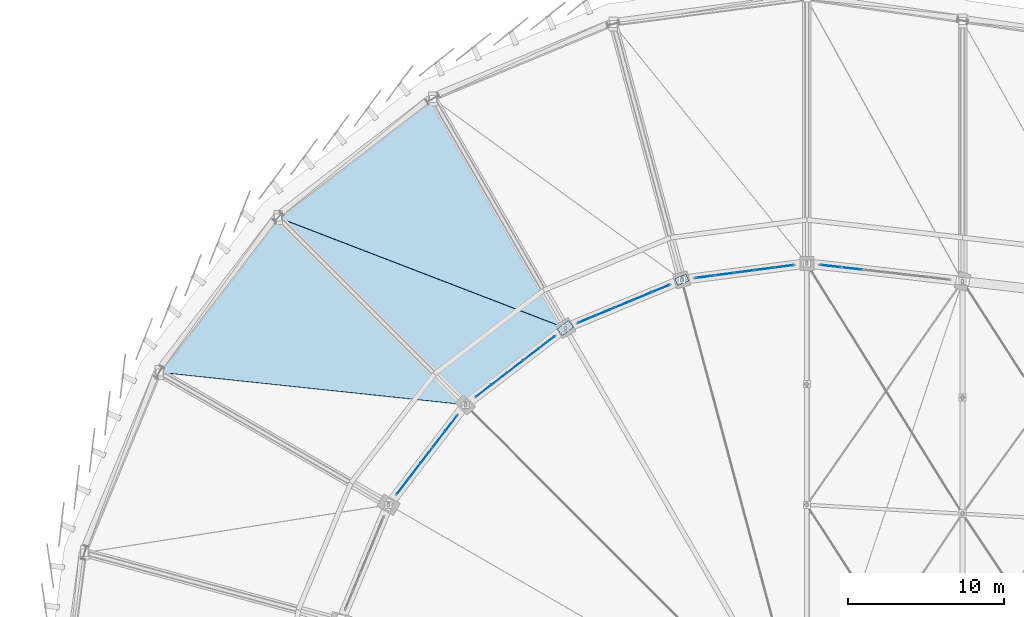
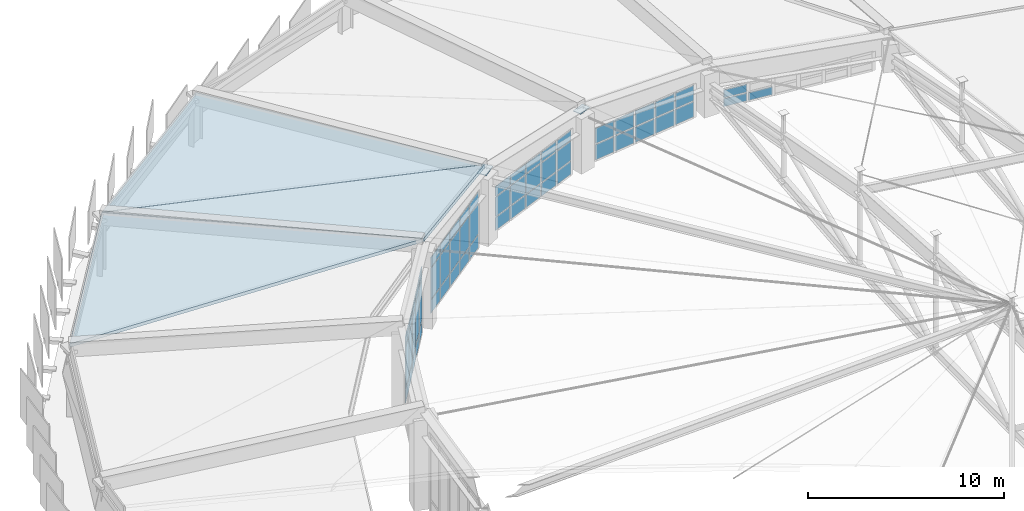
# One storey, part 58 of 68: 60 plates, 3 slabs, 5 elements without a shape of their own.
"""IFC4 building model written with IfcOpenShell, lengths in metres."""

from ifc_helpers import new_model, si_unit, direction, frame, origin, origin_2d, place, context, subcontext, project, spatial, polyline, rectangle, outline, extrude, material, layer, layer_set, type_object, element, aggregate, save


model = new_model("IFC4")

# Units and contexts
model_context = context("Model", 3, precision=1e-05, world=origin(), true_north=direction((0.0, 1.0)))
body_context = subcontext(model_context, "Body", "Model", "MODEL_VIEW")
ifc_project = project(units=[si_unit("LENGTHUNIT", "METRE"), si_unit("AREAUNIT", "SQUARE_METRE"), si_unit("VOLUMEUNIT", "CUBIC_METRE"), si_unit("PLANEANGLEUNIT", "RADIAN"), si_unit("MASSUNIT", "GRAM", prefix="KILO")], contexts=[model_context])

# Site, building, storey
site_placement = place(None, origin())
site = spatial("IfcSite", under=ifc_project, at=site_placement, CompositionType="ELEMENT")
building_placement = place(site_placement, origin())
building = spatial("IfcBuilding", under=site, at=building_placement, Name="Sohan Crest Arena", CompositionType="ELEMENT")
storey_placement = place(building_placement, frame((0.0, 0.0, 27.0)))
storey = spatial("IfcBuildingStorey", under=building, at=storey_placement, Name="RF", CompositionType="ELEMENT", Elevation=27.0)

# Curtain wall, plates
ifc_material_1 = material(Name="Thermally broken anodised aluminium", Category="aluminium")
ifc_layer_1 = layer(ifc_material_1, 0.18994140625, Name="Thermally broken anodised aluminium")
ifc_layer_set_1 = layer_set([ifc_layer_1], Name="Thermally broken anodised aluminium")
curtain_wall_type = type_object("IfcCurtainWallType", Name="ARC-CW05", PredefinedType="NOTDEFINED", material=ifc_layer_set_1)
curtain_wall_1_placement = place(storey_placement, origin())
curtain_wall_1 = element("IfcCurtainWall", 1, at=curtain_wall_1_placement, inside=storey, type_object=curtain_wall_type, Name="Unitised curtain wall CW-165", PredefinedType="NOTDEFINED")
ifc_material_2 = material(Name="Ceramic-fritted solar-control insulated glass", Category="glass")
ifc_layer_2 = layer(ifc_material_2, 0.035888671875, Name="Ceramic-fritted solar-control insulated glass")
ifc_layer_set_2 = layer_set([ifc_layer_2], Name="Ceramic-fritted solar-control insulated glass")
plate_type_1 = type_object("IfcPlateType", Name="ARC-CNP03", PredefinedType="CURTAIN_PANEL", material=ifc_layer_set_2)
plate_1_placement = place(storey_placement, frame((96.530029296875, 108.806396484375, 0.06494140625), z_axis=(0.0, 0.0, 1.0), x_axis=(-0.991448491802, -0.130498613419, 0.0)))
plate_1 = element("IfcPlate", 2, at=plate_1_placement, type_object=plate_type_1, Name="CW-165 panel 1.1", PredefinedType="CURTAIN_PANEL", context=body_context, shape_type="SweptSolid", body=[
    extrude(rectangle(XDim=1.185546875, YDim=0.035888671875, at=origin_2d()), origin(), (0.0, 0.0, 1.0), 0.951416015625),
])
plate_2_placement = place(storey_placement, frame((96.530029296875, 108.806396484375, 1.08154296875), z_axis=(0.0, 0.0, 1.0), x_axis=(-0.991448491802, -0.130498613419, 0.0)))
plate_2 = element("IfcPlate", 3, at=plate_2_placement, type_object=plate_type_1, Name="CW-165 panel 1.2", PredefinedType="CURTAIN_PANEL", context=body_context, shape_type="SweptSolid", body=[
    extrude(rectangle(XDim=1.185546875, YDim=0.035888671875, at=origin_2d()), origin(), (0.0, 0.0, 1.0), 0.951416015625),
])
plate_3_placement = place(storey_placement, frame((95.267822265625, 108.640380859375, 0.06494140625), z_axis=(0.0, 0.0, 1.0), x_axis=(-0.991448491802, -0.130498613419, 0.0)))
plate_3 = element("IfcPlate", 4, at=plate_3_placement, type_object=plate_type_1, Name="CW-165 panel 2.1", PredefinedType="CURTAIN_PANEL", context=body_context, shape_type="SweptSolid", body=[
    extrude(rectangle(XDim=1.220458984375, YDim=0.035888671875, at=origin_2d()), origin(), (0.0, 0.0, 1.0), 0.951416015625),
])
plate_4_placement = place(storey_placement, frame((95.267822265625, 108.640380859375, 1.08154296875), z_axis=(0.0, 0.0, 1.0), x_axis=(-0.991448491802, -0.130498613419, 0.0)))
plate_4 = element("IfcPlate", 5, at=plate_4_placement, type_object=plate_type_1, Name="CW-165 panel 2.2", PredefinedType="CURTAIN_PANEL", context=body_context, shape_type="SweptSolid", body=[
    extrude(rectangle(XDim=1.220458984375, YDim=0.035888671875, at=origin_2d()), origin(), (0.0, 0.0, 1.0), 0.951416015625),
])
plate_5_placement = place(storey_placement, frame((93.988525390625, 108.471923828125, 0.06494140625), z_axis=(0.0, 0.0, 1.0), x_axis=(-0.991448491802, -0.130498613419, 0.0)))
plate_5 = element("IfcPlate", 6, at=plate_5_placement, type_object=plate_type_1, Name="CW-165 panel 3.1", PredefinedType="CURTAIN_PANEL", context=body_context, shape_type="SweptSolid", body=[
    extrude(rectangle(XDim=1.220458984375, YDim=0.035888671875, at=origin_2d()), origin(), (0.0, 0.0, 1.0), 0.951416015625),
])
plate_6_placement = place(storey_placement, frame((93.988525390625, 108.471923828125, 1.08154296875), z_axis=(0.0, 0.0, 1.0), x_axis=(-0.991448491802, -0.130498613419, 0.0)))
plate_6 = element("IfcPlate", 7, at=plate_6_placement, type_object=plate_type_1, Name="CW-165 panel 3.2", PredefinedType="CURTAIN_PANEL", context=body_context, shape_type="SweptSolid", body=[
    extrude(rectangle(XDim=1.220458984375, YDim=0.035888671875, at=origin_2d()), origin(), (0.0, 0.0, 1.0), 0.951416015625),
])
plate_7_placement = place(storey_placement, frame((92.708984375, 108.3037109375, 0.06494140625), z_axis=(0.0, 0.0, 1.0), x_axis=(-0.991448491802, -0.130498613419, 0.0)))
plate_7 = element("IfcPlate", 8, at=plate_7_placement, type_object=plate_type_1, Name="CW-165 panel 4.1", PredefinedType="CURTAIN_PANEL", context=body_context, shape_type="SweptSolid", body=[
    extrude(rectangle(XDim=1.220458984375, YDim=0.035888671875, at=origin_2d()), origin(), (0.0, 0.0, 1.0), 0.951416015625),
])
plate_8_placement = place(storey_placement, frame((92.708984375, 108.3037109375, 1.08154296875), z_axis=(0.0, 0.0, 1.0), x_axis=(-0.991448491802, -0.130498613419, 0.0)))
plate_8 = element("IfcPlate", 9, at=plate_8_placement, type_object=plate_type_1, Name="CW-165 panel 4.2", PredefinedType="CURTAIN_PANEL", context=body_context, shape_type="SweptSolid", body=[
    extrude(rectangle(XDim=1.220458984375, YDim=0.035888671875, at=origin_2d()), origin(), (0.0, 0.0, 1.0), 0.951416015625),
])
plate_9_placement = place(storey_placement, frame((91.447021484375, 108.137451171875, 0.06494140625), z_axis=(0.0, 0.0, 1.0), x_axis=(-0.991448491802, -0.130498613419, 0.0)))
plate_9 = element("IfcPlate", 10, at=plate_9_placement, type_object=plate_type_1, Name="CW-165 panel 5.1", PredefinedType="CURTAIN_PANEL", context=body_context, shape_type="SweptSolid", body=[
    extrude(rectangle(XDim=1.185546875, YDim=0.035888671875, at=origin_2d()), origin(), (0.0, 0.0, 1.0), 0.951416015625),
])
plate_10_placement = place(storey_placement, frame((91.447021484375, 108.137451171875, 1.08154296875), z_axis=(0.0, 0.0, 1.0), x_axis=(-0.991448491802, -0.130498613419, 0.0)))
plate_10 = element("IfcPlate", 11, at=plate_10_placement, type_object=plate_type_1, Name="CW-165 panel 5.2", PredefinedType="CURTAIN_PANEL", context=body_context, shape_type="SweptSolid", body=[
    extrude(rectangle(XDim=1.185546875, YDim=0.035888671875, at=origin_2d()), origin(), (0.0, 0.0, 1.0), 0.951416015625),
])
aggregate(curtain_wall_1, [plate_1, plate_2, plate_3, plate_4, plate_5, plate_6, plate_7, plate_8, plate_9, plate_10])

curtain_wall_2_placement = place(storey_placement, origin())
curtain_wall_2 = element("IfcCurtainWall", 12, at=curtain_wall_2_placement, inside=storey, type_object=curtain_wall_type, Name="Unitised curtain wall CW-167", PredefinedType="NOTDEFINED")
plate_11_placement = place(storey_placement, frame((88.606689453125, 107.37646484375, 0.06494140625), z_axis=(0.0, 0.0, 1.0), x_axis=(-0.923886494023, -0.382666625357, 0.0)))
plate_11 = element("IfcPlate", 13, at=plate_11_placement, type_object=plate_type_1, Name="CW-167 panel 1.1", PredefinedType="CURTAIN_PANEL", context=body_context, shape_type="SweptSolid", body=[
    extrude(rectangle(XDim=1.185302734375, YDim=0.035888671875, at=origin_2d()), origin(), (0.0, 0.0, 1.0), 0.802490234375),
])
plate_12_placement = place(storey_placement, frame((88.606689453125, 107.37646484375, 0.9326171875), z_axis=(0.0, 0.0, 1.0), x_axis=(-0.923886494023, -0.382666625357, 0.0)))
plate_12 = element("IfcPlate", 14, at=plate_12_placement, type_object=plate_type_1, Name="CW-167 panel 1.2", PredefinedType="CURTAIN_PANEL", context=body_context, shape_type="SweptSolid", body=[
    extrude(rectangle(XDim=1.185302734375, YDim=0.035888671875, at=origin_2d()), origin(), (0.0, 0.0, 1.0), 1.196044921875),
])
plate_13_placement = place(storey_placement, frame((88.606689453125, 107.37646484375, 2.193359375), z_axis=(0.0, 0.0, 1.0), x_axis=(-0.923886494023, -0.382666625357, 0.0)))
plate_13 = element("IfcPlate", 15, at=plate_13_placement, type_object=plate_type_1, Name="CW-167 panel 1.3", PredefinedType="CURTAIN_PANEL", context=body_context, shape_type="SweptSolid", body=[
    extrude(rectangle(XDim=1.185302734375, YDim=0.035888671875, at=origin_2d()), origin(), (0.0, 0.0, 1.0), 0.6025390625),
])
plate_14_placement = place(storey_placement, frame((87.4306640625, 106.889404296875, 0.06494140625), z_axis=(0.0, 0.0, 1.0), x_axis=(-0.923886494023, -0.382666625357, 0.0)))
plate_14 = element("IfcPlate", 16, at=plate_14_placement, type_object=plate_type_1, Name="CW-167 panel 2.1", PredefinedType="CURTAIN_PANEL", context=body_context, shape_type="SweptSolid", body=[
    extrude(rectangle(XDim=1.220458984375, YDim=0.035888671875, at=origin_2d()), origin(), (0.0, 0.0, 1.0), 0.802490234375),
])
plate_15_placement = place(storey_placement, frame((87.4306640625, 106.889404296875, 0.9326171875), z_axis=(0.0, 0.0, 1.0), x_axis=(-0.923886494023, -0.382666625357, 0.0)))
plate_15 = element("IfcPlate", 17, at=plate_15_placement, type_object=plate_type_1, Name="CW-167 panel 2.2", PredefinedType="CURTAIN_PANEL", context=body_context, shape_type="SweptSolid", body=[
    extrude(rectangle(XDim=1.220458984375, YDim=0.035888671875, at=origin_2d()), origin(), (0.0, 0.0, 1.0), 1.196044921875),
])
plate_16_placement = place(storey_placement, frame((87.4306640625, 106.889404296875, 2.193359375), z_axis=(0.0, 0.0, 1.0), x_axis=(-0.923886494023, -0.382666625357, 0.0)))
plate_16 = element("IfcPlate", 18, at=plate_16_placement, type_object=plate_type_1, Name="CW-167 panel 2.3", PredefinedType="CURTAIN_PANEL", context=body_context, shape_type="SweptSolid", body=[
    extrude(rectangle(XDim=1.220458984375, YDim=0.035888671875, at=origin_2d()), origin(), (0.0, 0.0, 1.0), 0.6025390625),
])
plate_17_placement = place(storey_placement, frame((86.238525390625, 106.3955078125, 0.06494140625), z_axis=(0.0, 0.0, 1.0), x_axis=(-0.923886494023, -0.382666625357, 0.0)))
plate_17 = element("IfcPlate", 19, at=plate_17_placement, type_object=plate_type_1, Name="CW-167 panel 3.1", PredefinedType="CURTAIN_PANEL", context=body_context, shape_type="SweptSolid", body=[
    extrude(rectangle(XDim=1.220458984375, YDim=0.035888671875, at=origin_2d()), origin(), (0.0, 0.0, 1.0), 0.802490234375),
])
plate_18_placement = place(storey_placement, frame((86.238525390625, 106.3955078125, 0.9326171875), z_axis=(0.0, 0.0, 1.0), x_axis=(-0.923886494023, -0.382666625357, 0.0)))
plate_18 = element("IfcPlate", 20, at=plate_18_placement, type_object=plate_type_1, Name="CW-167 panel 3.2", PredefinedType="CURTAIN_PANEL", context=body_context, shape_type="SweptSolid", body=[
    extrude(rectangle(XDim=1.220458984375, YDim=0.035888671875, at=origin_2d()), origin(), (0.0, 0.0, 1.0), 1.196044921875),
])
plate_19_placement = place(storey_placement, frame((86.238525390625, 106.3955078125, 2.193359375), z_axis=(0.0, 0.0, 1.0), x_axis=(-0.923886494023, -0.382666625357, 0.0)))
plate_19 = element("IfcPlate", 21, at=plate_19_placement, type_object=plate_type_1, Name="CW-167 panel 3.3", PredefinedType="CURTAIN_PANEL", context=body_context, shape_type="SweptSolid", body=[
    extrude(rectangle(XDim=1.220458984375, YDim=0.035888671875, at=origin_2d()), origin(), (0.0, 0.0, 1.0), 0.6025390625),
])
plate_20_placement = place(storey_placement, frame((85.04638671875, 105.901611328125, 0.06494140625), z_axis=(0.0, 0.0, 1.0), x_axis=(-0.923886494023, -0.382666625357, 0.0)))
plate_20 = element("IfcPlate", 22, at=plate_20_placement, type_object=plate_type_1, Name="CW-167 panel 4.1", PredefinedType="CURTAIN_PANEL", context=body_context, shape_type="SweptSolid", body=[
    extrude(rectangle(XDim=1.220458984375, YDim=0.035888671875, at=origin_2d()), origin(), (0.0, 0.0, 1.0), 0.802490234375),
])
plate_21_placement = place(storey_placement, frame((85.04638671875, 105.901611328125, 0.9326171875), z_axis=(0.0, 0.0, 1.0), x_axis=(-0.923886494023, -0.382666625357, 0.0)))
plate_21 = element("IfcPlate", 23, at=plate_21_placement, type_object=plate_type_1, Name="CW-167 panel 4.2", PredefinedType="CURTAIN_PANEL", context=body_context, shape_type="SweptSolid", body=[
    extrude(rectangle(XDim=1.220458984375, YDim=0.035888671875, at=origin_2d()), origin(), (0.0, 0.0, 1.0), 1.196044921875),
])
plate_22_placement = place(storey_placement, frame((85.04638671875, 105.901611328125, 2.193359375), z_axis=(0.0, 0.0, 1.0), x_axis=(-0.923886494023, -0.382666625357, 0.0)))
plate_22 = element("IfcPlate", 24, at=plate_22_placement, type_object=plate_type_1, Name="CW-167 panel 4.3", PredefinedType="CURTAIN_PANEL", context=body_context, shape_type="SweptSolid", body=[
    extrude(rectangle(XDim=1.220458984375, YDim=0.035888671875, at=origin_2d()), origin(), (0.0, 0.0, 1.0), 0.6025390625),
])
plate_23_placement = place(storey_placement, frame((83.870361328125, 105.41455078125, 0.06494140625), z_axis=(0.0, 0.0, 1.0), x_axis=(-0.923886494023, -0.382666625357, 0.0)))
plate_23 = element("IfcPlate", 25, at=plate_23_placement, type_object=plate_type_1, Name="CW-167 panel 5.1", PredefinedType="CURTAIN_PANEL", context=body_context, shape_type="SweptSolid", body=[
    extrude(rectangle(XDim=1.185302734375, YDim=0.035888671875, at=origin_2d()), origin(), (0.0, 0.0, 1.0), 0.802490234375),
])
plate_24_placement = place(storey_placement, frame((83.870361328125, 105.41455078125, 0.9326171875), z_axis=(0.0, 0.0, 1.0), x_axis=(-0.923886494023, -0.382666625357, 0.0)))
plate_24 = element("IfcPlate", 26, at=plate_24_placement, type_object=plate_type_1, Name="CW-167 panel 5.2", PredefinedType="CURTAIN_PANEL", context=body_context, shape_type="SweptSolid", body=[
    extrude(rectangle(XDim=1.185302734375, YDim=0.035888671875, at=origin_2d()), origin(), (0.0, 0.0, 1.0), 1.196044921875),
])
plate_25_placement = place(storey_placement, frame((83.870361328125, 105.41455078125, 2.193359375), z_axis=(0.0, 0.0, 1.0), x_axis=(-0.923886494023, -0.382666625357, 0.0)))
plate_25 = element("IfcPlate", 27, at=plate_25_placement, type_object=plate_type_1, Name="CW-167 panel 5.3", PredefinedType="CURTAIN_PANEL", context=body_context, shape_type="SweptSolid", body=[
    extrude(rectangle(XDim=1.185302734375, YDim=0.035888671875, at=origin_2d()), origin(), (0.0, 0.0, 1.0), 0.6025390625),
])
aggregate(curtain_wall_2, [plate_11, plate_12, plate_13, plate_14, plate_15, plate_16, plate_17, plate_18, plate_19, plate_20, plate_21, plate_22, plate_23, plate_24, plate_25])

curtain_wall_3_placement = place(storey_placement, origin())
curtain_wall_3 = element("IfcCurtainWall", 28, at=curtain_wall_3_placement, inside=storey, type_object=curtain_wall_type, Name="Unitised curtain wall CW-169", PredefinedType="NOTDEFINED")
plate_26_placement = place(storey_placement, frame((81.3232421875, 103.9443359375, 0.06494140625), z_axis=(0.0, 0.0, 1.0), x_axis=(-0.793217053508, -0.608939000248, 0.0)))
plate_26 = element("IfcPlate", 29, at=plate_26_placement, type_object=plate_type_1, Name="CW-169 panel 1.1", PredefinedType="CURTAIN_PANEL", context=body_context, shape_type="SweptSolid", body=[
    extrude(rectangle(XDim=1.185546875, YDim=0.035888671875, at=origin_2d()), origin(), (0.0, 0.0, 1.0), 0.802490234375),
])
plate_27_placement = place(storey_placement, frame((81.3232421875, 103.9443359375, 0.9326171875), z_axis=(0.0, 0.0, 1.0), x_axis=(-0.793217053508, -0.608939000248, 0.0)))
plate_27 = element("IfcPlate", 30, at=plate_27_placement, type_object=plate_type_1, Name="CW-169 panel 1.2", PredefinedType="CURTAIN_PANEL", context=body_context, shape_type="SweptSolid", body=[
    extrude(rectangle(XDim=1.185546875, YDim=0.035888671875, at=origin_2d()), origin(), (0.0, 0.0, 1.0), 1.91796875),
])
plate_28_placement = place(storey_placement, frame((81.3232421875, 103.9443359375, 2.91552734375), z_axis=(0.0, 0.0, 1.0), x_axis=(-0.793217053508, -0.608939000248, 0.0)))
plate_28 = element("IfcPlate", 31, at=plate_28_placement, type_object=plate_type_1, Name="CW-169 panel 1.3", PredefinedType="CURTAIN_PANEL", context=body_context, shape_type="SweptSolid", body=[
    extrude(rectangle(XDim=1.185546875, YDim=0.035888671875, at=origin_2d()), origin(), (0.0, 0.0, 1.0), 0.6025390625),
])
plate_29_placement = place(storey_placement, frame((80.313720703125, 103.169189453125, 0.06494140625), z_axis=(0.0, 0.0, 1.0), x_axis=(-0.793217053508, -0.608939000248, 0.0)))
plate_29 = element("IfcPlate", 32, at=plate_29_placement, type_object=plate_type_1, Name="CW-169 panel 2.1", PredefinedType="CURTAIN_PANEL", context=body_context, shape_type="SweptSolid", body=[
    extrude(rectangle(XDim=1.220458984375, YDim=0.035888671875, at=origin_2d()), origin(), (0.0, 0.0, 1.0), 0.802490234375),
])
plate_30_placement = place(storey_placement, frame((80.313720703125, 103.169189453125, 0.9326171875), z_axis=(0.0, 0.0, 1.0), x_axis=(-0.793217053508, -0.608939000248, 0.0)))
plate_30 = element("IfcPlate", 33, at=plate_30_placement, type_object=plate_type_1, Name="CW-169 panel 2.2", PredefinedType="CURTAIN_PANEL", context=body_context, shape_type="SweptSolid", body=[
    extrude(rectangle(XDim=1.220458984375, YDim=0.035888671875, at=origin_2d()), origin(), (0.0, 0.0, 1.0), 1.91796875),
])
plate_31_placement = place(storey_placement, frame((80.313720703125, 103.169189453125, 2.91552734375), z_axis=(0.0, 0.0, 1.0), x_axis=(-0.793217053508, -0.608939000248, 0.0)))
plate_31 = element("IfcPlate", 34, at=plate_31_placement, type_object=plate_type_1, Name="CW-169 panel 2.3", PredefinedType="CURTAIN_PANEL", context=body_context, shape_type="SweptSolid", body=[
    extrude(rectangle(XDim=1.220458984375, YDim=0.035888671875, at=origin_2d()), origin(), (0.0, 0.0, 1.0), 0.6025390625),
])
plate_32_placement = place(storey_placement, frame((79.2900390625, 102.383544921875, 0.06494140625), z_axis=(0.0, 0.0, 1.0), x_axis=(-0.793217053508, -0.608939000248, 0.0)))
plate_32 = element("IfcPlate", 35, at=plate_32_placement, type_object=plate_type_1, Name="CW-169 panel 3.1", PredefinedType="CURTAIN_PANEL", context=body_context, shape_type="SweptSolid", body=[
    extrude(rectangle(XDim=1.220458984375, YDim=0.035888671875, at=origin_2d()), origin(), (0.0, 0.0, 1.0), 0.802490234375),
])
plate_33_placement = place(storey_placement, frame((79.2900390625, 102.383544921875, 0.9326171875), z_axis=(0.0, 0.0, 1.0), x_axis=(-0.793217053508, -0.608939000248, 0.0)))
plate_33 = element("IfcPlate", 36, at=plate_33_placement, type_object=plate_type_1, Name="CW-169 panel 3.2", PredefinedType="CURTAIN_PANEL", context=body_context, shape_type="SweptSolid", body=[
    extrude(rectangle(XDim=1.220458984375, YDim=0.035888671875, at=origin_2d()), origin(), (0.0, 0.0, 1.0), 1.91796875),
])
plate_34_placement = place(storey_placement, frame((79.2900390625, 102.383544921875, 2.91552734375), z_axis=(0.0, 0.0, 1.0), x_axis=(-0.793217053508, -0.608939000248, 0.0)))
plate_34 = element("IfcPlate", 37, at=plate_34_placement, type_object=plate_type_1, Name="CW-169 panel 3.3", PredefinedType="CURTAIN_PANEL", context=body_context, shape_type="SweptSolid", body=[
    extrude(rectangle(XDim=1.220458984375, YDim=0.035888671875, at=origin_2d()), origin(), (0.0, 0.0, 1.0), 0.6025390625),
])
plate_35_placement = place(storey_placement, frame((78.266357421875, 101.59765625, 0.06494140625), z_axis=(0.0, 0.0, 1.0), x_axis=(-0.793217053508, -0.608939000248, 0.0)))
plate_35 = element("IfcPlate", 38, at=plate_35_placement, type_object=plate_type_1, Name="CW-169 panel 4.1", PredefinedType="CURTAIN_PANEL", context=body_context, shape_type="SweptSolid", body=[
    extrude(rectangle(XDim=1.220458984375, YDim=0.035888671875, at=origin_2d()), origin(), (0.0, 0.0, 1.0), 0.802490234375),
])
plate_36_placement = place(storey_placement, frame((78.266357421875, 101.59765625, 0.9326171875), z_axis=(0.0, 0.0, 1.0), x_axis=(-0.793217053508, -0.608939000248, 0.0)))
plate_36 = element("IfcPlate", 39, at=plate_36_placement, type_object=plate_type_1, Name="CW-169 panel 4.2", PredefinedType="CURTAIN_PANEL", context=body_context, shape_type="SweptSolid", body=[
    extrude(rectangle(XDim=1.220458984375, YDim=0.035888671875, at=origin_2d()), origin(), (0.0, 0.0, 1.0), 1.91796875),
])
plate_37_placement = place(storey_placement, frame((78.266357421875, 101.59765625, 2.91552734375), z_axis=(0.0, 0.0, 1.0), x_axis=(-0.793217053508, -0.608939000248, 0.0)))
plate_37 = element("IfcPlate", 40, at=plate_37_placement, type_object=plate_type_1, Name="CW-169 panel 4.3", PredefinedType="CURTAIN_PANEL", context=body_context, shape_type="SweptSolid", body=[
    extrude(rectangle(XDim=1.220458984375, YDim=0.035888671875, at=origin_2d()), origin(), (0.0, 0.0, 1.0), 0.6025390625),
])
plate_38_placement = place(storey_placement, frame((77.256591796875, 100.822509765625, 0.06494140625), z_axis=(0.0, 0.0, 1.0), x_axis=(-0.793217053508, -0.608939000248, 0.0)))
plate_38 = element("IfcPlate", 41, at=plate_38_placement, type_object=plate_type_1, Name="CW-169 panel 5.1", PredefinedType="CURTAIN_PANEL", context=body_context, shape_type="SweptSolid", body=[
    extrude(rectangle(XDim=1.185546875, YDim=0.035888671875, at=origin_2d()), origin(), (0.0, 0.0, 1.0), 0.802490234375),
])
plate_39_placement = place(storey_placement, frame((77.256591796875, 100.822509765625, 0.9326171875), z_axis=(0.0, 0.0, 1.0), x_axis=(-0.793217053508, -0.608939000248, 0.0)))
plate_39 = element("IfcPlate", 42, at=plate_39_placement, type_object=plate_type_1, Name="CW-169 panel 5.2", PredefinedType="CURTAIN_PANEL", context=body_context, shape_type="SweptSolid", body=[
    extrude(rectangle(XDim=1.185546875, YDim=0.035888671875, at=origin_2d()), origin(), (0.0, 0.0, 1.0), 1.91796875),
])
plate_40_placement = place(storey_placement, frame((77.256591796875, 100.822509765625, 2.91552734375), z_axis=(0.0, 0.0, 1.0), x_axis=(-0.793217053508, -0.608939000248, 0.0)))
plate_40 = element("IfcPlate", 43, at=plate_40_placement, type_object=plate_type_1, Name="CW-169 panel 5.3", PredefinedType="CURTAIN_PANEL", context=body_context, shape_type="SweptSolid", body=[
    extrude(rectangle(XDim=1.185546875, YDim=0.035888671875, at=origin_2d()), origin(), (0.0, 0.0, 1.0), 0.6025390625),
])
aggregate(curtain_wall_3, [plate_26, plate_27, plate_28, plate_29, plate_30, plate_31, plate_32, plate_33, plate_34, plate_35, plate_36, plate_37, plate_38, plate_39, plate_40])

curtain_wall_4_placement = place(storey_placement, origin())
curtain_wall_4 = element("IfcCurtainWall", 44, at=curtain_wall_4_placement, inside=storey, type_object=curtain_wall_type, Name="Unitised curtain wall CW-171", PredefinedType="NOTDEFINED")
plate_41_placement = place(storey_placement, frame((75.177490234375, 98.743408203125, 0.06494140625), z_axis=(0.0, 0.0, 1.0), x_axis=(-0.608939000248, -0.793217053508, 0.0)))
plate_41 = element("IfcPlate", 45, at=plate_41_placement, type_object=plate_type_1, Name="CW-171 panel 1.1", PredefinedType="CURTAIN_PANEL", context=body_context, shape_type="SweptSolid", body=[
    extrude(rectangle(XDim=1.185546875, YDim=0.035888671875, at=origin_2d()), origin(), (0.0, 0.0, 1.0), 0.802490234375),
])
plate_42_placement = place(storey_placement, frame((75.177490234375, 98.743408203125, 0.9326171875), z_axis=(0.0, 0.0, 1.0), x_axis=(-0.608939000248, -0.793217053508, 0.0)))
plate_42 = element("IfcPlate", 46, at=plate_42_placement, type_object=plate_type_1, Name="CW-171 panel 1.2", PredefinedType="CURTAIN_PANEL", context=body_context, shape_type="SweptSolid", body=[
    extrude(rectangle(XDim=1.185546875, YDim=0.035888671875, at=origin_2d()), origin(), (0.0, 0.0, 1.0), 2.5419921875),
])
plate_43_placement = place(storey_placement, frame((75.177490234375, 98.743408203125, 3.53955078125), z_axis=(0.0, 0.0, 1.0), x_axis=(-0.608939000248, -0.793217053508, 0.0)))
plate_43 = element("IfcPlate", 47, at=plate_43_placement, type_object=plate_type_1, Name="CW-171 panel 1.3", PredefinedType="CURTAIN_PANEL", context=body_context, shape_type="SweptSolid", body=[
    extrude(rectangle(XDim=1.185546875, YDim=0.035888671875, at=origin_2d()), origin(), (0.0, 0.0, 1.0), 0.6025390625),
])
plate_44_placement = place(storey_placement, frame((74.40234375, 97.733642578125, 0.06494140625), z_axis=(0.0, 0.0, 1.0), x_axis=(-0.608939000248, -0.793217053508, 0.0)))
plate_44 = element("IfcPlate", 48, at=plate_44_placement, type_object=plate_type_1, Name="CW-171 panel 2.1", PredefinedType="CURTAIN_PANEL", context=body_context, shape_type="SweptSolid", body=[
    extrude(rectangle(XDim=1.220458984375, YDim=0.035888671875, at=origin_2d()), origin(), (0.0, 0.0, 1.0), 0.802490234375),
])
plate_45_placement = place(storey_placement, frame((74.40234375, 97.733642578125, 0.9326171875), z_axis=(0.0, 0.0, 1.0), x_axis=(-0.608939000248, -0.793217053508, 0.0)))
plate_45 = element("IfcPlate", 49, at=plate_45_placement, type_object=plate_type_1, Name="CW-171 panel 2.2", PredefinedType="CURTAIN_PANEL", context=body_context, shape_type="SweptSolid", body=[
    extrude(rectangle(XDim=1.220458984375, YDim=0.035888671875, at=origin_2d()), origin(), (0.0, 0.0, 1.0), 2.5419921875),
])
plate_46_placement = place(storey_placement, frame((74.40234375, 97.733642578125, 3.53955078125), z_axis=(0.0, 0.0, 1.0), x_axis=(-0.608939000248, -0.793217053508, 0.0)))
plate_46 = element("IfcPlate", 50, at=plate_46_placement, type_object=plate_type_1, Name="CW-171 panel 2.3", PredefinedType="CURTAIN_PANEL", context=body_context, shape_type="SweptSolid", body=[
    extrude(rectangle(XDim=1.220458984375, YDim=0.035888671875, at=origin_2d()), origin(), (0.0, 0.0, 1.0), 0.6025390625),
])
plate_47_placement = place(storey_placement, frame((73.616455078125, 96.7099609375, 0.06494140625), z_axis=(0.0, 0.0, 1.0), x_axis=(-0.608939000248, -0.793217053508, 0.0)))
plate_47 = element("IfcPlate", 51, at=plate_47_placement, type_object=plate_type_1, Name="CW-171 panel 3.1", PredefinedType="CURTAIN_PANEL", context=body_context, shape_type="SweptSolid", body=[
    extrude(rectangle(XDim=1.220458984375, YDim=0.035888671875, at=origin_2d()), origin(), (0.0, 0.0, 1.0), 0.802490234375),
])
plate_48_placement = place(storey_placement, frame((73.616455078125, 96.7099609375, 0.9326171875), z_axis=(0.0, 0.0, 1.0), x_axis=(-0.608939000248, -0.793217053508, 0.0)))
plate_48 = element("IfcPlate", 52, at=plate_48_placement, type_object=plate_type_1, Name="CW-171 panel 3.2", PredefinedType="CURTAIN_PANEL", context=body_context, shape_type="SweptSolid", body=[
    extrude(rectangle(XDim=1.220458984375, YDim=0.035888671875, at=origin_2d()), origin(), (0.0, 0.0, 1.0), 2.5419921875),
])
plate_49_placement = place(storey_placement, frame((73.616455078125, 96.7099609375, 3.53955078125), z_axis=(0.0, 0.0, 1.0), x_axis=(-0.608939000248, -0.793217053508, 0.0)))
plate_49 = element("IfcPlate", 53, at=plate_49_placement, type_object=plate_type_1, Name="CW-171 panel 3.3", PredefinedType="CURTAIN_PANEL", context=body_context, shape_type="SweptSolid", body=[
    extrude(rectangle(XDim=1.220458984375, YDim=0.035888671875, at=origin_2d()), origin(), (0.0, 0.0, 1.0), 0.6025390625),
])
plate_50_placement = place(storey_placement, frame((72.830810546875, 95.686279296875, 0.06494140625), z_axis=(0.0, 0.0, 1.0), x_axis=(-0.608939000248, -0.793217053508, 0.0)))
plate_50 = element("IfcPlate", 54, at=plate_50_placement, type_object=plate_type_1, Name="CW-171 panel 4.1", PredefinedType="CURTAIN_PANEL", context=body_context, shape_type="SweptSolid", body=[
    extrude(rectangle(XDim=1.220458984375, YDim=0.035888671875, at=origin_2d()), origin(), (0.0, 0.0, 1.0), 0.802490234375),
])
plate_51_placement = place(storey_placement, frame((72.830810546875, 95.686279296875, 0.9326171875), z_axis=(0.0, 0.0, 1.0), x_axis=(-0.608939000248, -0.793217053508, 0.0)))
plate_51 = element("IfcPlate", 55, at=plate_51_placement, type_object=plate_type_1, Name="CW-171 panel 4.2", PredefinedType="CURTAIN_PANEL", context=body_context, shape_type="SweptSolid", body=[
    extrude(rectangle(XDim=1.220458984375, YDim=0.035888671875, at=origin_2d()), origin(), (0.0, 0.0, 1.0), 2.5419921875),
])
plate_52_placement = place(storey_placement, frame((72.830810546875, 95.686279296875, 3.53955078125), z_axis=(0.0, 0.0, 1.0), x_axis=(-0.608939000248, -0.793217053508, 0.0)))
plate_52 = element("IfcPlate", 56, at=plate_52_placement, type_object=plate_type_1, Name="CW-171 panel 4.3", PredefinedType="CURTAIN_PANEL", context=body_context, shape_type="SweptSolid", body=[
    extrude(rectangle(XDim=1.220458984375, YDim=0.035888671875, at=origin_2d()), origin(), (0.0, 0.0, 1.0), 0.6025390625),
])
plate_53_placement = place(storey_placement, frame((72.0556640625, 94.6767578125, 0.06494140625), z_axis=(0.0, 0.0, 1.0), x_axis=(-0.608939000248, -0.793217053508, 0.0)))
plate_53 = element("IfcPlate", 57, at=plate_53_placement, type_object=plate_type_1, Name="CW-171 panel 5.1", PredefinedType="CURTAIN_PANEL", context=body_context, shape_type="SweptSolid", body=[
    extrude(rectangle(XDim=1.185546875, YDim=0.035888671875, at=origin_2d()), origin(), (0.0, 0.0, 1.0), 0.802490234375),
])
plate_54_placement = place(storey_placement, frame((72.0556640625, 94.6767578125, 0.9326171875), z_axis=(0.0, 0.0, 1.0), x_axis=(-0.608939000248, -0.793217053508, 0.0)))
plate_54 = element("IfcPlate", 58, at=plate_54_placement, type_object=plate_type_1, Name="CW-171 panel 5.2", PredefinedType="CURTAIN_PANEL", context=body_context, shape_type="SweptSolid", body=[
    extrude(rectangle(XDim=1.185546875, YDim=0.035888671875, at=origin_2d()), origin(), (0.0, 0.0, 1.0), 2.5419921875),
])
plate_55_placement = place(storey_placement, frame((72.0556640625, 94.6767578125, 3.53955078125), z_axis=(0.0, 0.0, 1.0), x_axis=(-0.608939000248, -0.793217053508, 0.0)))
plate_55 = element("IfcPlate", 59, at=plate_55_placement, type_object=plate_type_1, Name="CW-171 panel 5.3", PredefinedType="CURTAIN_PANEL", context=body_context, shape_type="SweptSolid", body=[
    extrude(rectangle(XDim=1.185546875, YDim=0.035888671875, at=origin_2d()), origin(), (0.0, 0.0, 1.0), 0.6025390625),
])
aggregate(curtain_wall_4, [plate_41, plate_42, plate_43, plate_44, plate_45, plate_46, plate_47, plate_48, plate_49, plate_50, plate_51, plate_52, plate_53, plate_54, plate_55])

curtain_wall_5_placement = place(storey_placement, origin())
curtain_wall_5 = element("IfcCurtainWall", 60, at=curtain_wall_5_placement, inside=storey, type_object=curtain_wall_type, Name="Unitised curtain wall CW-201", PredefinedType="NOTDEFINED")
plate_56_placement = place(storey_placement, frame((100.907470703125, 108.667724609375, 0.06494140625), z_axis=(0.0, 0.0, 1.0), x_axis=(-0.993526932422, 0.11359680696, 0.0)))
plate_56 = element("IfcPlate", 61, at=plate_56_placement, type_object=plate_type_1, Name="CW-201 panel 5.1", PredefinedType="CURTAIN_PANEL", context=body_context, shape_type="SweptSolid", body=[
    extrude(rectangle(XDim=1.333984375, YDim=0.035888671875, at=origin_2d()), origin(), (0.0, 0.0, 1.0), 0.486572265625),
])
plate_57_placement = place(storey_placement, frame((99.52978515625, 108.8251953125, 0.06494140625), z_axis=(0.0, 0.0, 1.0), x_axis=(-0.993526932422, 0.11359680696, 0.0)))
plate_57 = element("IfcPlate", 62, at=plate_57_placement, type_object=plate_type_1, Name="CW-201 panel 6.1", PredefinedType="CURTAIN_PANEL", context=body_context, shape_type="SweptSolid", body=[
    extrude(rectangle(XDim=1.299072265625, YDim=0.035888671875, at=origin_2d()), origin(), (0.0, 0.0, 1.0), 0.486572265625),
])
plate_58_placement = place(storey_placement, frame((99.52978515625, 108.8251953125, 0.6162109375), z_axis=(0.0, 0.0, 1.0), x_axis=(-0.993526932422, 0.11359680696, 0.0)))
plate_58 = element("IfcPlate", 63, at=plate_58_placement, type_object=plate_type_1, Name="CW-201 panel 6.2", PredefinedType="CURTAIN_PANEL", context=body_context, shape_type="SweptSolid", body=[
    extrude(rectangle(XDim=1.299072265625, YDim=0.035888671875, at=origin_2d()), origin(), (0.0, 0.0, 1.0), 0.485595703125),
])
aggregate(curtain_wall_5, [plate_56, plate_57, plate_58])

# Slabs
ifc_material_3 = material(Name="Concrete C40/50", Category="concrete")
ifc_layer_3 = layer(ifc_material_3, 0.195068359375, Name="Concrete C40/50")
ifc_layer_set_3 = layer_set([ifc_layer_3], Name="Concrete C40/50")
slab_type = type_object("IfcSlabType", Name="SL-RF02", PredefinedType="ROOF", material=ifc_layer_set_3)
slab_1_placement = place(storey_placement, frame((82.48193359375, 104.862060546875, 4.654052734375), z_axis=(-0.007817407945, 0.093739295611, 0.995566086501), x_axis=(-0.498207610236, 0.862865871432, -0.085156708605)))
element("IfcSlab", 64, at=slab_1_placement, inside=storey, type_object=slab_type, Name="Sloped roof deck panel RF-SL-053", PredefinedType="ROOF", context=body_context, shape_type="SweptSolid", body=[
    extrude(outline(polyline([(0.0, 0.0), (17.02685784392425, -1.1032841307212493e-15), (15.346208693990494, 12.40850660611722), (0.0, 0.0)])), origin(), (0.0, 0.0, -1.0), 0.195068359375),
])
slab_2_placement = place(storey_placement, frame((82.48291015625, 104.847900390625, 4.654052734375), z_axis=(0.003912997801, 0.12384040374, 0.992294433548), x_axis=(-0.932528440258, 0.358750428053, -0.041095480069)))
element("IfcSlab", 65, at=slab_2_placement, inside=storey, type_object=slab_type, Name="Sloped roof deck panel RF-SL-054", PredefinedType="ROOF", context=body_context, shape_type="SweptSolid", body=[
    extrude(outline(polyline([(0.0, 0.0), (19.735385859824568, 1.942890293094024e-16), (4.18446371224711, 6.937197780232343), (0.0, 0.0)])), origin(), (0.0, 0.0, -1.0), 0.195068359375),
])
slab_3_placement = place(storey_placement, frame((76.05908203125, 99.928955078125, 5.29296875), z_axis=(-0.039873474629, 0.080496667056, 0.995957023477), x_axis=(-0.704538690199, 0.704538690199, -0.08514968012)))
element("IfcSlab", 66, at=slab_3_placement, inside=storey, type_object=slab_type, Name="Sloped roof deck panel RF-SL-055", PredefinedType="ROOF", context=body_context, shape_type="SweptSolid", body=[
    extrude(outline(polyline([(0.0, 0.0), (17.02826328686984, 9.020562075079397e-17), (15.3597883049684, 12.403655679457707), (0.0, 0.0)])), origin(), (0.0, 0.0, -1.0), 0.195068359375),
])

# Plates
ifc_material_4 = material(Name="Steel S355", Category="steel")
ifc_layer_4 = layer(ifc_material_4, 0.030029296875, Name="Steel S355")
ifc_layer_set_4 = layer_set([ifc_layer_4], Name="Steel S355")
plate_type_2 = type_object("IfcPlateType", Name="STR-PL-GP02", PredefinedType="USERDEFINED", material=ifc_layer_set_4)
plate_59_placement = place(storey_placement, frame((89.97705078125, 107.944091796875, 3.5830078125), z_axis=(0.0, 0.0, 1.0), x_axis=(0.923879532511, 0.382683432365, 0.0)))
element("IfcPlate", 67, at=plate_59_placement, inside=storey, type_object=plate_type_2, Name="Ring beam node gusset plate GP-RB02", ObjectType="GUSSET PLATE", PredefinedType="USERDEFINED", context=body_context, shape_type="SweptSolid", body=[
    extrude(rectangle(XDim=0.780029296875, YDim=0.47998046875, at=origin_2d()), origin(), (0.0, 0.0, 1.0), 0.030029296875),
])
ifc_layer_5 = layer(ifc_material_4, 0.034912109375, Name="Steel S355")
ifc_layer_set_5 = layer_set([ifc_layer_5], Name="Steel S355")
plate_type_3 = type_object("IfcPlateType", Name="STR-PL-GP03", PredefinedType="USERDEFINED", material=ifc_layer_set_5)
plate_60_placement = place(storey_placement, frame((82.5, 104.846923828125, 4.310546875), z_axis=(0.0, 0.0, 1.0), x_axis=(0.793353340291, 0.608761429009, 0.0)))
element("IfcPlate", 68, at=plate_60_placement, inside=storey, type_object=plate_type_3, Name="Ring beam node gusset plate GP-RB03", ObjectType="GUSSET PLATE", PredefinedType="USERDEFINED", context=body_context, shape_type="SweptSolid", body=[
    extrude(rectangle(XDim=0.89990234375, YDim=0.550048828125, at=origin_2d()), origin(), (0.0, 0.0, 1.0), 0.034912109375),
])

save(model, "model.ifc")
